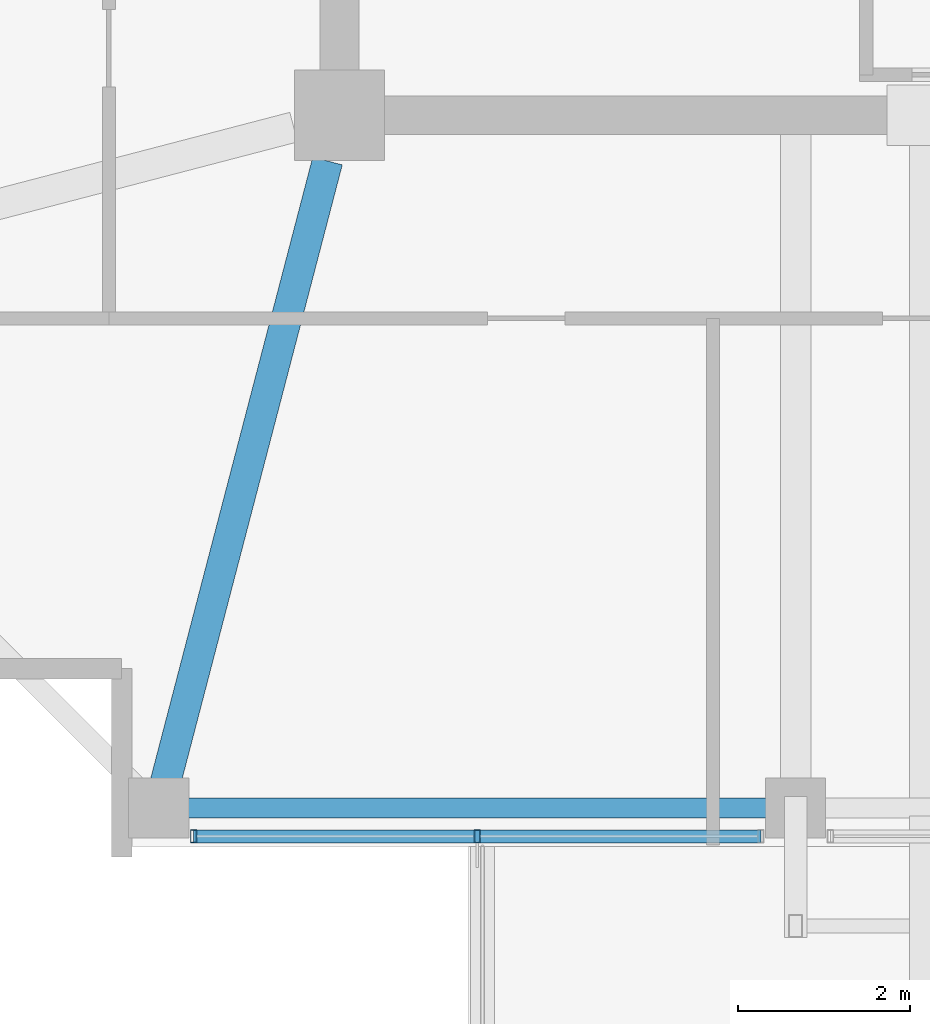
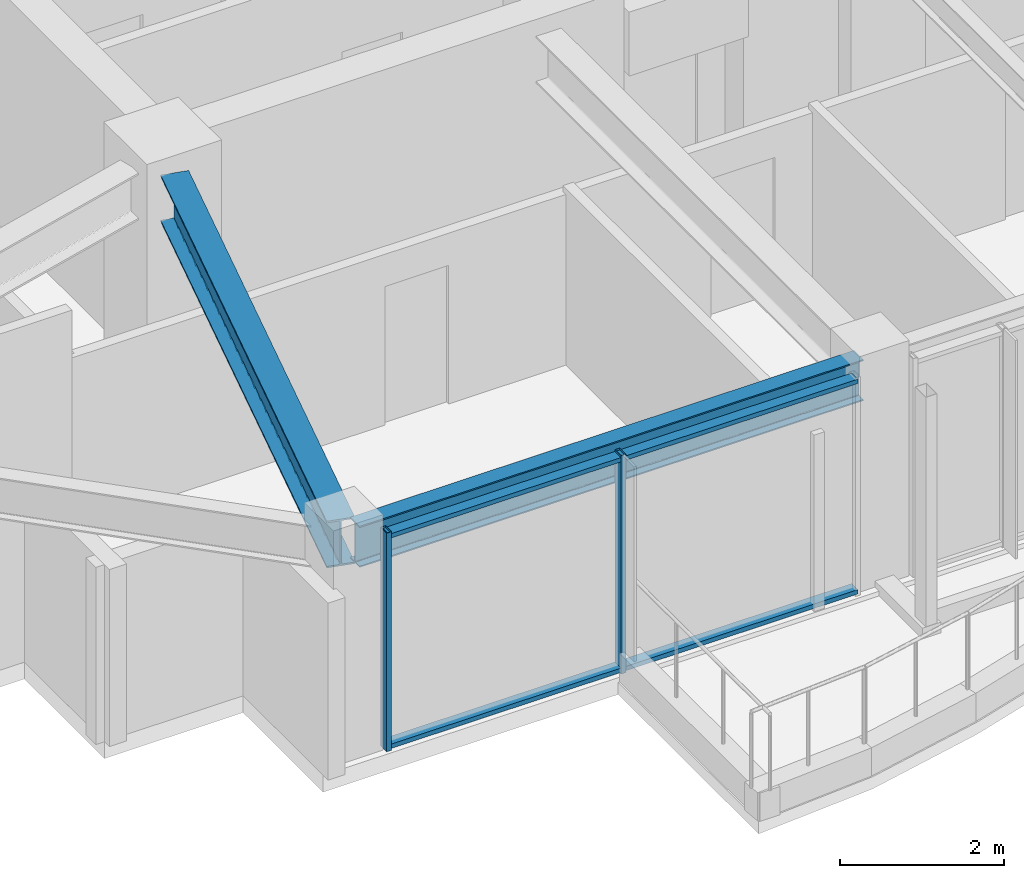
# One storey, part 2 of 34: 4 members, 2 beams, 1 element without a shape of its own.
"""IFC4 building model written with IfcOpenShell, lengths in metres."""

from ifc_helpers import new_model, si_unit, direction, frame, origin, origin_2d, place, context, subcontext, project, spatial, hollow_rectangle, i_section, extrude, material, material_profile, profile_set, type_object, element, aggregate, save


model = new_model("IFC4")

# Units and contexts
model_context = context("Model", 3, precision=1e-05, world=origin(), true_north=direction((0.0, 1.0)))
body_context = subcontext(model_context, "Body", "Model", "MODEL_VIEW")
ifc_project = project(units=[si_unit("LENGTHUNIT", "METRE"), si_unit("AREAUNIT", "SQUARE_METRE"), si_unit("VOLUMEUNIT", "CUBIC_METRE"), si_unit("PLANEANGLEUNIT", "RADIAN"), si_unit("MASSUNIT", "GRAM", prefix="KILO")], contexts=[model_context])

# Site, building, storey
site_placement = place(None, origin())
site = spatial("IfcSite", under=ifc_project, at=site_placement, CompositionType="ELEMENT")
building_placement = place(site_placement, origin())
building = spatial("IfcBuilding", under=site, at=building_placement, Name="Kolvaren Belvedere", CompositionType="ELEMENT")
storey_placement = place(building_placement, frame((0.0, 0.0, 240.89990234375)))
storey = spatial("IfcBuildingStorey", under=building, at=storey_placement, Name="L70", CompositionType="ELEMENT", Elevation=240.89990234375)

# Beams
ifc_material_1 = material(Name="Structural steel ASTM A992 Grade 50", Category="steel")
ifc_material_profile_1 = material_profile(ifc_material_1, i_section(OverallWidth=0.35498046875, OverallDepth=0.696044921875, WebThickness=0.015380859375, FlangeThickness=0.02490234375, FilletRadius=0.02197265625, at=origin_2d()), Name="W27X146")
ifc_profile_set_1 = profile_set([ifc_material_profile_1], Name="Structural steel ASTM A992 Grade 50")
beam_type_1 = type_object("IfcBeamType", Name="BM-GIRD-W27X146", PredefinedType="BEAM", material=ifc_profile_set_1)
beam_1_placement = place(storey_placement, frame((-10.038818359375, -10.43212890625, 2.902099609375), z_axis=(-0.25241668651, -0.967618631679, 0.0), x_axis=(0.967618631679, -0.25241668651, 0.0)))
element("IfcBeam", 1, at=beam_1_placement, inside=storey, type_object=beam_type_1, Name="L70 Corner Core-to-Perimeter Girder CC1-S1", PredefinedType="BEAM", context=body_context, shape_type="SweptSolid", body=[
    extrude(i_section(OverallWidth=0.35498046875, OverallDepth=0.696044921875, WebThickness=0.015380859375, FlangeThickness=0.02490234375, FilletRadius=0.02197265625, at=origin_2d()), origin(), (0.0, 0.0, 1.0), 7.62939453125),
])
ifc_material_2 = material(Name="Structural steel ASTM A992 Grade 50", Category="steel")
ifc_material_profile_2 = material_profile(ifc_material_2, i_section(OverallWidth=0.22900390625, OverallDepth=0.612060546875, WebThickness=0.011962890625, FlangeThickness=0.01953125, FilletRadius=0.01806640625, at=origin_2d()), Name="W24X84")
ifc_profile_set_2 = profile_set([ifc_material_profile_2], Name="Structural steel ASTM A992 Grade 50")
beam_type_2 = type_object("IfcBeamType", Name="BM-SPAN-W24X84", PredefinedType="SPANDREL", material=ifc_profile_set_2)
beam_2_placement = place(storey_placement, frame((-11.842529296875, -17.949951171875, 2.944091796875), z_axis=(1.0, 0.0, 0.0), x_axis=(0.0, 1.0, 0.0)))
element("IfcBeam", 2, at=beam_2_placement, inside=storey, type_object=beam_type_2, Name="L70 Perimeter Spandrel S1-S2", PredefinedType="SPANDREL", context=body_context, shape_type="SweptSolid", body=[
    extrude(i_section(OverallWidth=0.22900390625, OverallDepth=0.612060546875, WebThickness=0.011962890625, FlangeThickness=0.01953125, FilletRadius=0.01806640625, at=origin_2d()), origin(), (0.0, 0.0, 1.0), 7.0849609375),
])

# Curtain wall, members
ifc_material_3 = material(Name="Anodised pale-metal aluminium AA 6063-T6", Category="aluminium")
curtain_wall_type = type_object("IfcCurtainWallType", Name="CW-Z5-HIGH", PredefinedType="NOTDEFINED", material=ifc_material_3)
curtain_wall_placement = place(storey_placement, origin())
curtain_wall = element("IfcCurtainWall", 3, at=curtain_wall_placement, inside=storey, type_object=curtain_wall_type, Name="L70 Unitised Curtain Wall FCW-L70-S2-B2", PredefinedType="NOTDEFINED")
ifc_material_4 = material(Name="Anodised pale-metal aluminium AA 6063-T6", Category="aluminium")
ifc_material_profile_3 = material_profile(ifc_material_4, hollow_rectangle(XDim=0.070068359375, YDim=0.14990234375, WallThickness=0.004150390625, at=origin_2d()), Name="ALU-MUL-150X70")
ifc_profile_set_3 = profile_set([ifc_material_profile_3], Name="Anodised pale-metal aluminium AA 6063-T6")
member_type_1 = type_object("IfcMemberType", Name="CW-MUL-150", PredefinedType="MULLION", material=ifc_profile_set_3)
member_1_placement = place(storey_placement, frame((-8.300048828125, -18.280029296875, 0.0), z_axis=(0.0, 0.0, 1.0), x_axis=(1.0, 0.0, 0.0)))
member_1 = element("IfcMember", 4, at=member_1_placement, type_object=member_type_1, Name="FCW-L70-S2-B2 Unitised Mullion 2", PredefinedType="MULLION", context=body_context, shape_type="SweptSolid", body=[
    extrude(hollow_rectangle(XDim=0.070068359375, YDim=0.14990234375, WallThickness=0.004150390625, at=origin_2d()), origin(), (0.0, 0.0, 1.0), 3.25),
])
member_2_placement = place(storey_placement, frame((-11.594970703125, -18.280029296875, 0.0), z_axis=(0.0, 0.0, 1.0), x_axis=(1.0, 0.0, 0.0)))
member_2 = element("IfcMember", 5, at=member_2_placement, type_object=member_type_1, Name="FCW-L70-S2-B2 Unitised Mullion 3", PredefinedType="MULLION", context=body_context, shape_type="SweptSolid", body=[
    extrude(hollow_rectangle(XDim=0.070068359375, YDim=0.14990234375, WallThickness=0.004150390625, at=origin_2d()), origin(), (0.0, 0.0, 1.0), 3.25),
])
ifc_material_5 = material(Name="Anodised pale-metal aluminium AA 6063-T6", Category="aluminium")
ifc_material_profile_4 = material_profile(ifc_material_5, hollow_rectangle(XDim=0.06494140625, YDim=0.14990234375, WallThickness=0.00390625, at=origin_2d()), Name="ALU-TRN-150X65")
ifc_profile_set_4 = profile_set([ifc_material_profile_4], Name="Anodised pale-metal aluminium AA 6063-T6")
member_type_2 = type_object("IfcMemberType", Name="CW-TRN-150", PredefinedType="USERDEFINED", material=ifc_profile_set_4)
member_3_placement = place(storey_placement, frame((-5.0048828125, -18.280029296875, 0.06005859375), z_axis=(-1.0, 0.0, 0.0), x_axis=(0.0, 0.0, 1.0)))
member_3 = element("IfcMember", 6, at=member_3_placement, type_object=member_type_2, Name="FCW-L70-S2-B2 Sill Transom", ObjectType="TRANSOM", PredefinedType="USERDEFINED", context=body_context, shape_type="SweptSolid", body=[
    extrude(hollow_rectangle(XDim=0.06494140625, YDim=0.14990234375, WallThickness=0.00390625, at=origin_2d()), origin(), (0.0, 0.0, 1.0), 6.590087890625),
])
member_4_placement = place(storey_placement, frame((-5.0048828125, -18.280029296875, 3.190185546875), z_axis=(-1.0, 0.0, 0.0), x_axis=(0.0, 0.0, 1.0)))
member_4 = element("IfcMember", 7, at=member_4_placement, type_object=member_type_2, Name="FCW-L70-S2-B2 Head Transom", ObjectType="TRANSOM", PredefinedType="USERDEFINED", context=body_context, shape_type="SweptSolid", body=[
    extrude(hollow_rectangle(XDim=0.06494140625, YDim=0.14990234375, WallThickness=0.00390625, at=origin_2d()), origin(), (0.0, 0.0, 1.0), 6.590087890625),
])
aggregate(curtain_wall, [member_1, member_2, member_3, member_4])

save(model, "model.ifc")
